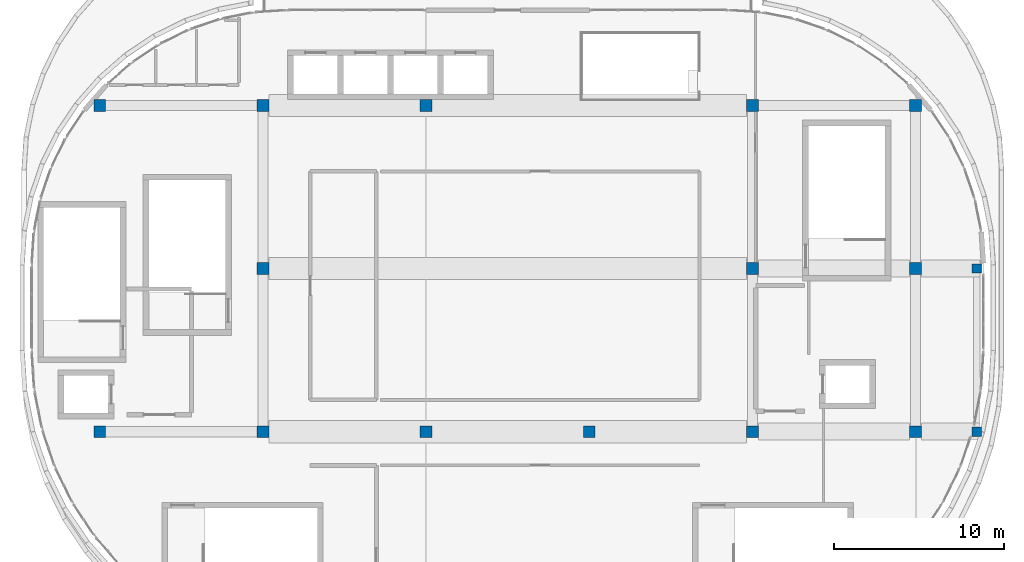
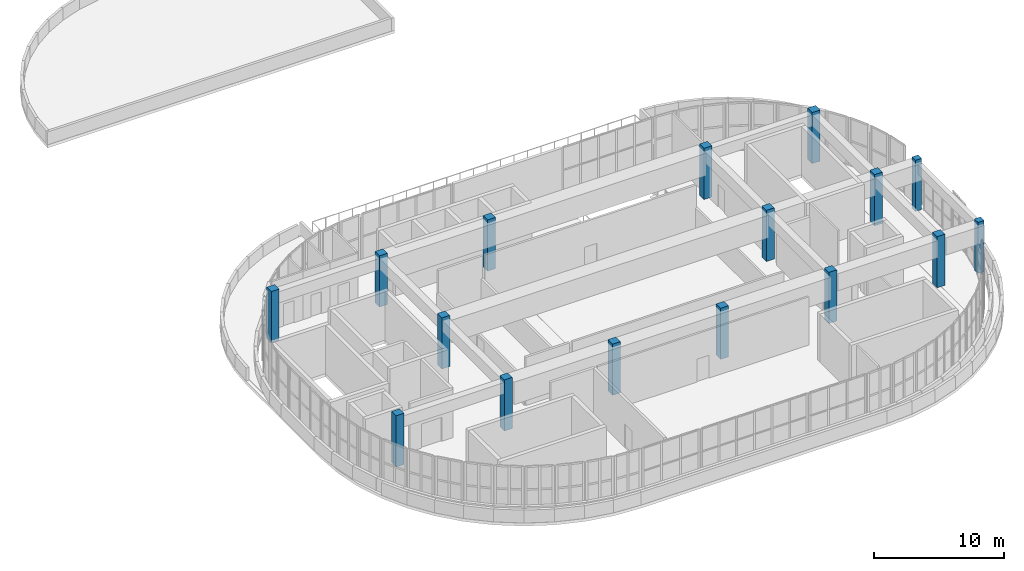
# One storey, part 1 of 23: 16 columns.
"""IFC4 building model written with IfcOpenShell, lengths in metres."""

from ifc_helpers import new_model, si_unit, direction, frame, origin, origin_2d, place, context, subcontext, project, spatial, rectangle, extrude, material, material_profile, profile_set, type_object, element, save


model = new_model("IFC4")

# Units and contexts
model_context = context("Model", 3, precision=1e-05, world=origin(), true_north=direction((0.0, 1.0)))
body_context = subcontext(model_context, "Body", "Model", "MODEL_VIEW")
ifc_project = project(units=[si_unit("LENGTHUNIT", "METRE"), si_unit("AREAUNIT", "SQUARE_METRE"), si_unit("VOLUMEUNIT", "CUBIC_METRE"), si_unit("PLANEANGLEUNIT", "RADIAN"), si_unit("MASSUNIT", "GRAM", prefix="KILO")], contexts=[model_context])

# Site, building, storey
site_placement = place(None, origin())
site = spatial("IfcSite", under=ifc_project, at=site_placement, CompositionType="ELEMENT")
building_placement = place(site_placement, origin())
building = spatial("IfcBuilding", under=site, at=building_placement, Name="Cendralis Terraced Arcade", CompositionType="ELEMENT")
storey_placement = place(building_placement, frame((0.0, 0.0, 29.39990234375)))
storey = spatial("IfcBuildingStorey", under=building, at=storey_placement, Name="L06", CompositionType="ELEMENT", Elevation=29.39990234375)

# Columns
ifc_material = material(Name="Concrete f'c 42 MPa", Category="concrete")
ifc_material_profile_1 = material_profile(ifc_material, rectangle(XDim=0.550048828125, YDim=0.550048828125, at=origin_2d()), Name="RC-COL-550x550", Category="LoadBearing")
ifc_profile_set_1 = profile_set([ifc_material_profile_1], Name="Concrete f'c 42 MPa")
column_type_1 = type_object("IfcColumnType", Name="COL-550", PredefinedType="COLUMN", material=ifc_profile_set_1)
for number, where, z_axis, x_axis, name in (
    (1, (61.199951171875, 19.199951171875, 0.0), (0.0, 0.0, 1.0), (1.0, 0.0, 0.0), "Crown Overhang Perimeter Column L06-C"),
    (2, (61.199951171875, 28.800048828125, 0.0), (0.0, 0.0, 1.0), (1.0, 0.0, 0.0), "Crown Overhang Perimeter Column L06-D"),
):
    element("IfcColumn", number, at=place(storey_placement, frame(where, z_axis=z_axis, x_axis=x_axis)), inside=storey, type_object=column_type_1, Name=name, PredefinedType="COLUMN", context=body_context, shape_type="SweptSolid", body=[
        extrude(rectangle(XDim=0.550048828125, YDim=0.550048828125, at=origin_2d()), origin(), (0.0, 0.0, 1.0), 4.800048828125),
    ])
ifc_material_profile_2 = material_profile(ifc_material, rectangle(XDim=0.699951171875, YDim=0.699951171875, at=origin_2d()), Name="RC-COL-700x700", Category="LoadBearing")
ifc_profile_set_2 = profile_set([ifc_material_profile_2], Name="Concrete f'c 42 MPa")
column_type_2 = type_object("IfcColumnType", Name="COL-700", PredefinedType="COLUMN", material=ifc_profile_set_2)
for number, where, z_axis, x_axis, name in (
    (3, (9.60009765625, 19.199951171875, 0.0), (0.0, 0.0, 1.0), (1.0, 0.0, 0.0), "Reinforced Concrete Column 2-C (L06)"),
    (4, (9.60009765625, 38.39990234375, 0.0), (0.0, 0.0, 1.0), (1.0, 0.0, 0.0), "Reinforced Concrete Column 2-E (L06)"),
    (5, (19.199951171875, 19.199951171875, 0.0), (0.0, 0.0, 1.0), (1.0, 0.0, 0.0), "Reinforced Concrete Column 3-C (L06)"),
    (6, (19.199951171875, 28.800048828125, 0.0), (0.0, 0.0, 1.0), (1.0, 0.0, 0.0), "Reinforced Concrete Column 3-D (L06)"),
    (7, (19.199951171875, 38.39990234375, 0.0), (0.0, 0.0, 1.0), (1.0, 0.0, 0.0), "Reinforced Concrete Column 3-E (L06)"),
    (8, (28.800048828125, 19.199951171875, 0.0), (0.0, 0.0, 1.0), (1.0, 0.0, 0.0), "Reinforced Concrete Column 4-C (L06)"),
    (9, (28.800048828125, 38.39990234375, 0.0), (0.0, 0.0, 1.0), (1.0, 0.0, 0.0), "Reinforced Concrete Column 4-E (L06)"),
    (10, (38.39990234375, 19.199951171875, 0.0), (0.0, 0.0, 1.0), (1.0, 0.0, 0.0), "Reinforced Concrete Column 5-C (L06)"),
    (11, (48.0, 19.199951171875, 0.0), (0.0, 0.0, 1.0), (1.0, 0.0, 0.0), "Reinforced Concrete Column 6-C (L06)"),
    (12, (48.0, 28.800048828125, 0.0), (0.0, 0.0, 1.0), (1.0, 0.0, 0.0), "Reinforced Concrete Column 6-D (L06)"),
    (13, (48.0, 38.39990234375, 0.0), (0.0, 0.0, 1.0), (1.0, 0.0, 0.0), "Reinforced Concrete Column 6-E (L06)"),
    (14, (57.60009765625, 19.199951171875, 0.0), (0.0, 0.0, 1.0), (1.0, 0.0, 0.0), "Reinforced Concrete Column 7-C (L06)"),
    (15, (57.60009765625, 28.800048828125, 0.0), (0.0, 0.0, 1.0), (1.0, 0.0, 0.0), "Reinforced Concrete Column 7-D (L06)"),
    (16, (57.60009765625, 38.39990234375, 0.0), (0.0, 0.0, 1.0), (1.0, 0.0, 0.0), "Reinforced Concrete Column 7-E (L06)"),
):
    element("IfcColumn", number, at=place(storey_placement, frame(where, z_axis=z_axis, x_axis=x_axis)), inside=storey, type_object=column_type_2, Name=name, PredefinedType="COLUMN", context=body_context, shape_type="SweptSolid", body=[
        extrude(rectangle(XDim=0.699951171875, YDim=0.699951171875, at=origin_2d()), origin(), (0.0, 0.0, 1.0), 4.800048828125),
    ])

save(model, "model.ifc")
